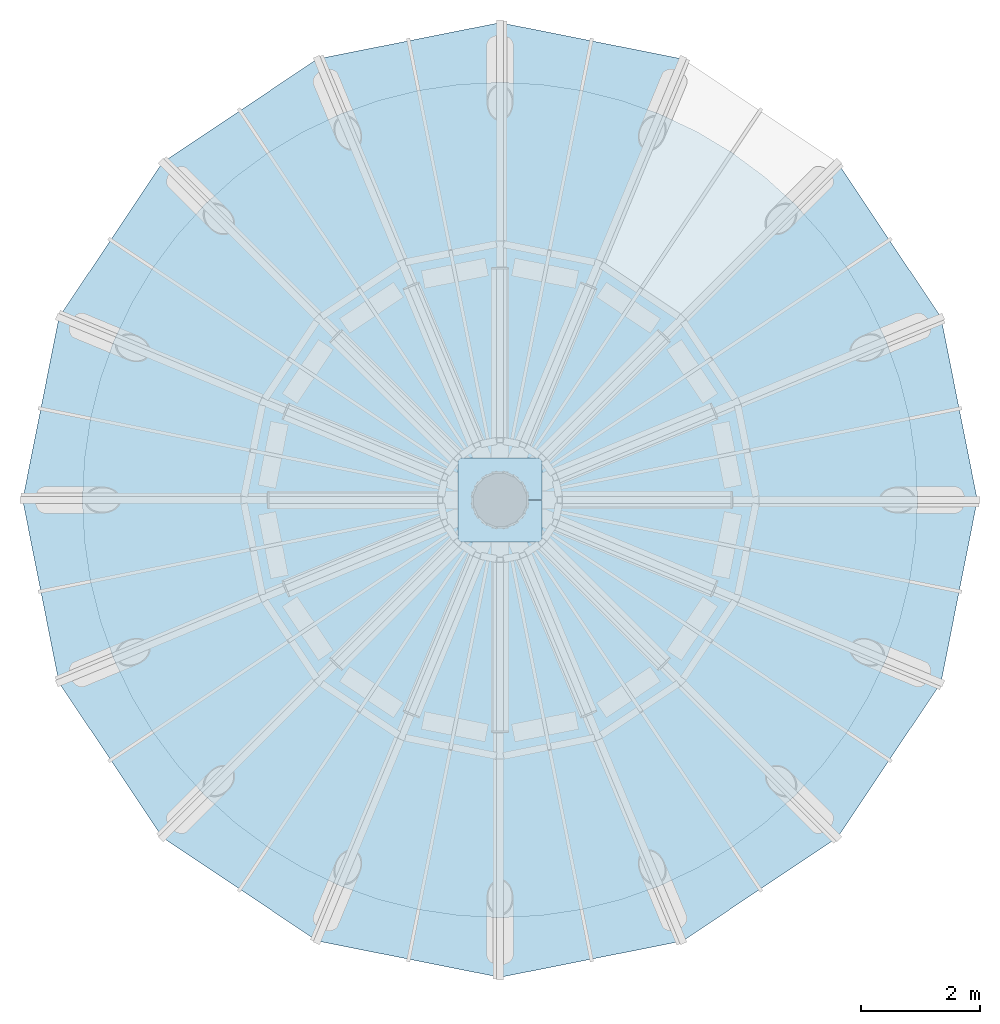
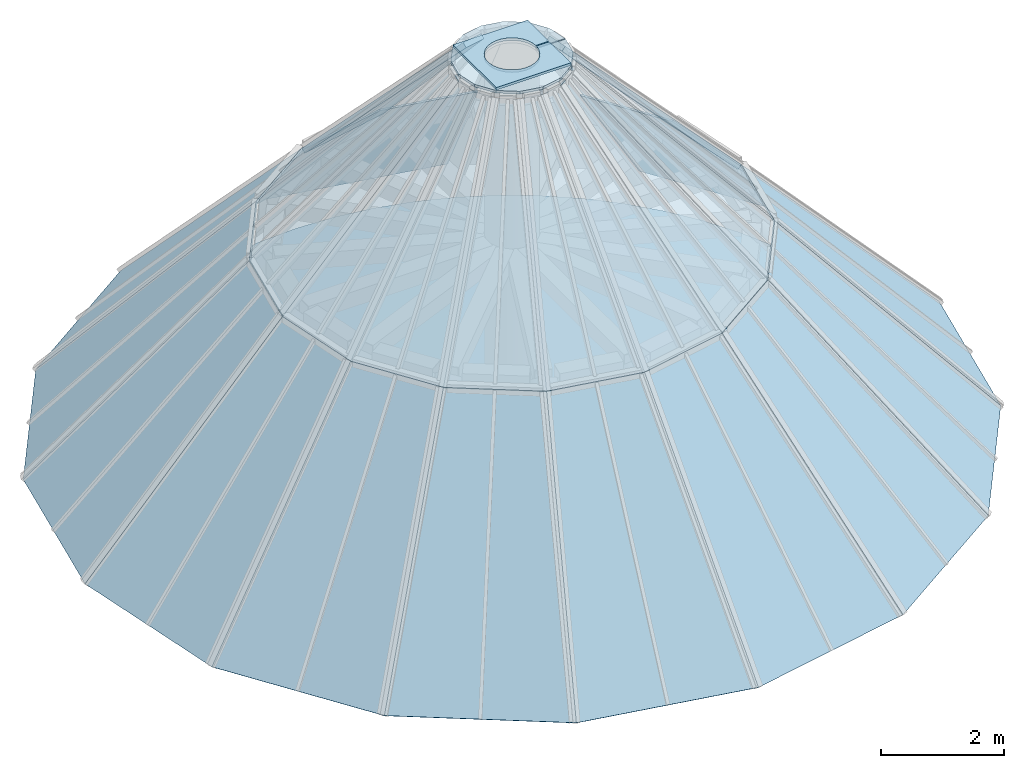
# One storey, part 4 of 5: 33 plates, 1 slab, 31 elements without a shape of their own.
"""IFC4 building model written with IfcOpenShell, lengths in metres."""

from ifc_helpers import new_model, si_unit, direction, frame, origin, place, context, subcontext, project, spatial, polyline, outline, extrude, material, layer, layer_set, type_object, element, aggregate, save


model = new_model("IFC4")

# Units and contexts
model_context = context("Model", 3, precision=1e-05, world=origin(), true_north=direction((0.0, 1.0)))
body_context = subcontext(model_context, "Body", "Model", "MODEL_VIEW")
ifc_project = project(units=[si_unit("LENGTHUNIT", "METRE"), si_unit("AREAUNIT", "SQUARE_METRE"), si_unit("VOLUMEUNIT", "CUBIC_METRE"), si_unit("PLANEANGLEUNIT", "RADIAN"), si_unit("MASSUNIT", "GRAM", prefix="KILO")], contexts=[model_context])

# Site, building, storey
site_placement = place(None, origin())
site = spatial("IfcSite", under=ifc_project, at=site_placement, CompositionType="ELEMENT")
building_placement = place(site_placement, origin())
building = spatial("IfcBuilding", under=site, at=building_placement, Name="Corvane Civic Tower", CompositionType="ELEMENT")
storey_placement = place(building_placement, frame((0.0, 0.0, 410.5)))
storey = spatial("IfcBuildingStorey", under=building, at=storey_placement, Name="Upper roof", CompositionType="ELEMENT", Elevation=410.5)

# Slab
ifc_material_1 = material(Name="Concrete C40/50", Category="concrete")
ifc_layer_1 = layer(ifc_material_1, 0.449951171875)
ifc_layer_set_1 = layer_set([ifc_layer_1], Name="Concrete C40/50")
slab_type = type_object("IfcSlabType", Name="CROWN ROOF SLAB 450", PredefinedType="ROOF", material=ifc_layer_set_1)
slab_placement = place(storey_placement, frame((0.0, 0.0, -0.449951171875)))
element("IfcSlab", 1, at=slab_placement, inside=storey, type_object=slab_type, Name="SLB-L96-roof", PredefinedType="ROOF", context=body_context, shape_type="SweptSolid", body=[
    extrude(outline(polyline([(0.0, 7.0), (-0.68603515625, 6.96630859375), (-1.36572265625, 6.865478515625), (-2.031982421875, 6.698486328125), (-2.6787109375, 6.467041015625), (-3.2998046875, 6.17333984375), (-3.888916015625, 5.8203125), (-4.440673828125, 5.4111328125), (-4.94970703125, 4.94970703125), (-5.4111328125, 4.440673828125), (-5.8203125, 3.888916015625), (-6.17333984375, 3.2998046875), (-6.467041015625, 2.6787109375), (-6.698486328125, 2.031982421875), (-6.865478515625, 1.36572265625), (-6.96630859375, 0.68603515625), (-7.0, 0.0), (-6.96630859375, -0.68603515625), (-6.865478515625, -1.36572265625), (-6.698486328125, -2.031982421875), (-6.467041015625, -2.6787109375), (-6.17333984375, -3.2998046875), (-5.8203125, -3.888916015625), (-5.4111328125, -4.440673828125), (-4.94970703125, -4.94970703125), (-4.440673828125, -5.4111328125), (-3.888916015625, -5.8203125), (-3.2998046875, -6.17333984375), (-2.6787109375, -6.467041015625), (-2.031982421875, -6.698486328125), (-1.36572265625, -6.865478515625), (-0.68603515625, -6.96630859375), (0.0, -7.0), (0.68603515625, -6.96630859375), (1.36572265625, -6.865478515625), (2.031982421875, -6.698486328125), (2.6787109375, -6.467041015625), (3.2998046875, -6.17333984375), (3.888916015625, -5.8203125), (4.440673828125, -5.4111328125), (4.94970703125, -4.94970703125), (5.4111328125, -4.440673828125), (5.8203125, -3.888916015625), (6.17333984375, -3.2998046875), (6.467041015625, -2.6787109375), (6.698486328125, -2.031982421875), (6.865478515625, -1.36572265625), (6.96630859375, -0.68603515625), (7.0, 0.0), (6.96630859375, 0.68603515625), (6.865478515625, 1.36572265625), (6.698486328125, 2.031982421875), (6.467041015625, 2.6787109375), (6.17333984375, 3.2998046875), (5.8203125, 3.888916015625), (5.4111328125, 4.440673828125), (4.94970703125, 4.94970703125), (4.440673828125, 5.4111328125), (3.888916015625, 5.8203125), (3.2998046875, 6.17333984375), (2.6787109375, 6.467041015625), (2.031982421875, 6.698486328125), (1.36572265625, 6.865478515625), (0.68603515625, 6.96630859375), (0.0, 7.0)])), origin(), (0.0, 0.0, 1.0), 0.449951171875),
])

# Plates
ifc_material_2 = material(Name="Steel ASTM A572 Gr 50", Category="steel")
ifc_layer_2 = layer(ifc_material_2, 0.050048828125)
ifc_layer_set_2 = layer_set([ifc_layer_2], Name="Steel ASTM A572 Gr 50")
plate_type_1 = type_object("IfcPlateType", Name="CROWN-CAP-PLATE-50", PredefinedType="SHEET", material=ifc_layer_set_2)
plate_1_placement = place(storey_placement, frame((0.0, 0.0, 7.60009765625)))
element("IfcPlate", 2, at=plate_1_placement, inside=storey, type_object=plate_type_1, Name="Glass cone top plate", PredefinedType="SHEET", context=body_context, shape_type="SweptSolid", body=[
    extrude(outline(polyline([(0.923828125, -0.382568359375), (0.998046875, -0.010009765625), (0.4501953125, -0.010009765625), (0.447021484375, -0.058837890625), (0.435546875, -0.11669921875), (0.416748046875, -0.172607421875), (0.390625, -0.2255859375), (0.35791015625, -0.274658203125), (0.31884765625, -0.31884765625), (0.274658203125, -0.35791015625), (0.2255859375, -0.390625), (0.172607421875, -0.416748046875), (0.11669921875, -0.435546875), (0.058837890625, -0.447021484375), (0.0, -0.450927734375), (-0.058837890625, -0.447021484375), (-0.11669921875, -0.435546875), (-0.172607421875, -0.416748046875), (-0.2255859375, -0.390625), (-0.274658203125, -0.35791015625), (-0.31884765625, -0.31884765625), (-0.35791015625, -0.274658203125), (-0.390625, -0.2255859375), (-0.416748046875, -0.172607421875), (-0.435546875, -0.11669921875), (-0.447021484375, -0.058837890625), (-0.450927734375, 0.0), (-0.447021484375, 0.058837890625), (-0.435546875, 0.11669921875), (-0.416748046875, 0.172607421875), (-0.390625, 0.2255859375), (-0.35791015625, 0.274658203125), (-0.31884765625, 0.31884765625), (-0.274658203125, 0.35791015625), (-0.2255859375, 0.390625), (-0.172607421875, 0.416748046875), (-0.11669921875, 0.435546875), (-0.058837890625, 0.447021484375), (0.0, 0.450927734375), (0.058837890625, 0.447021484375), (0.11669921875, 0.435546875), (0.172607421875, 0.416748046875), (0.2255859375, 0.390625), (0.274658203125, 0.35791015625), (0.31884765625, 0.31884765625), (0.35791015625, 0.274658203125), (0.390625, 0.2255859375), (0.416748046875, 0.172607421875), (0.435546875, 0.11669921875), (0.447021484375, 0.058837890625), (0.4501953125, 0.010009765625), (0.998046875, 0.010009765625), (0.923828125, 0.382568359375), (0.70703125, 0.70703125), (0.382568359375, 0.923828125), (0.0, 1.0), (-0.382568359375, 0.923828125), (-0.70703125, 0.70703125), (-0.923828125, 0.382568359375), (-1.0, 0.0), (-0.923828125, -0.382568359375), (-0.70703125, -0.70703125), (-0.382568359375, -0.923828125), (0.0, -1.0), (0.382568359375, -0.923828125), (0.70703125, -0.70703125), (0.923828125, -0.382568359375)])), origin(), (0.0, 0.0, 1.0), 0.0498046875),
])
plate_2_placement = place(storey_placement, frame((0.0, 0.0, 7.64990234375)))
element("IfcPlate", 3, at=plate_2_placement, inside=storey, type_object=plate_type_1, Name="Spire base plate", PredefinedType="SHEET", context=body_context, shape_type="SweptSolid", body=[
    extrude(outline(polyline([(0.699951171875, -0.699951171875), (0.699951171875, -0.010009765625), (0.4501953125, -0.010009765625), (0.447021484375, -0.058837890625), (0.435546875, -0.11669921875), (0.416748046875, -0.172607421875), (0.390625, -0.2255859375), (0.35791015625, -0.274658203125), (0.31884765625, -0.31884765625), (0.274658203125, -0.35791015625), (0.2255859375, -0.390625), (0.172607421875, -0.416748046875), (0.11669921875, -0.435546875), (0.058837890625, -0.447021484375), (0.0, -0.450927734375), (-0.058837890625, -0.447021484375), (-0.11669921875, -0.435546875), (-0.172607421875, -0.416748046875), (-0.2255859375, -0.390625), (-0.274658203125, -0.35791015625), (-0.31884765625, -0.31884765625), (-0.35791015625, -0.274658203125), (-0.390625, -0.2255859375), (-0.416748046875, -0.172607421875), (-0.435546875, -0.11669921875), (-0.447021484375, -0.058837890625), (-0.450927734375, 0.0), (-0.447021484375, 0.058837890625), (-0.435546875, 0.11669921875), (-0.416748046875, 0.172607421875), (-0.390625, 0.2255859375), (-0.35791015625, 0.274658203125), (-0.31884765625, 0.31884765625), (-0.274658203125, 0.35791015625), (-0.2255859375, 0.390625), (-0.172607421875, 0.416748046875), (-0.11669921875, 0.435546875), (-0.058837890625, 0.447021484375), (0.0, 0.450927734375), (0.058837890625, 0.447021484375), (0.11669921875, 0.435546875), (0.172607421875, 0.416748046875), (0.2255859375, 0.390625), (0.274658203125, 0.35791015625), (0.31884765625, 0.31884765625), (0.35791015625, 0.274658203125), (0.390625, 0.2255859375), (0.416748046875, 0.172607421875), (0.435546875, 0.11669921875), (0.447021484375, 0.058837890625), (0.4501953125, 0.010009765625), (0.699951171875, 0.010009765625), (0.699951171875, 0.699951171875), (-0.699951171875, 0.699951171875), (-0.699951171875, -0.699951171875), (0.699951171875, -0.699951171875)])), origin(), (0.0, 0.0, 1.0), 0.050048828125),
])

# Curtain wall, plate
ifc_material_3 = material(Name="Aluminium and glass", Category="aluminium")
curtain_wall_type = type_object("IfcCurtainWallType", Name="CROWN-CW-K-FACET", PredefinedType="NOTDEFINED", material=ifc_material_3)
curtain_wall_1_placement = place(storey_placement, origin())
curtain_wall_1 = element("IfcCurtainWall", 4, at=curtain_wall_1_placement, inside=storey, type_object=curtain_wall_type, Name="Glass cone facet 1 row 7", PredefinedType="NOTDEFINED")
ifc_material_4 = material(Name="Glass tinted low-e laminated", Category="glass")
ifc_layer_3 = layer(ifc_material_4, 0.10009765625)
ifc_layer_set_3 = layer_set([ifc_layer_3], Name="Glass tinted low-e laminated")
plate_type_2 = type_object("IfcPlateType", Name="CROWN-CWK-PANEL-IGU100", PredefinedType="CURTAIN_PANEL", material=ifc_layer_set_3)
plate_3_placement = place(storey_placement, frame((0.0, 4.300048828125, 4.0), z_axis=(-0.143286262157, 0.720071978065, 0.678944322814), x_axis=(-0.980773302608, -0.195150528358, -1.3128587e-05)))
plate_3 = element("IfcPlate", 5, at=plate_3_placement, type_object=plate_type_2, Name="Cone glass panel 1.7", PredefinedType="CURTAIN_PANEL", context=body_context, shape_type="SweptSolid", body=[
    extrude(outline(polyline([(0.0, 0.0), (1.6777609663350008, -2.7755575615628914e-17), (1.0340381373108907, 4.767178401989101), (0.6439603223609552, 4.767141425443706), (0.0, 0.0)])), origin(), (0.0, 0.0, -1.0), 0.10009765625),
])
aggregate(curtain_wall_1, [plate_3])

curtain_wall_2_placement = place(storey_placement, origin())
curtain_wall_2 = element("IfcCurtainWall", 6, at=curtain_wall_2_placement, inside=storey, type_object=curtain_wall_type, Name="Glass cone facet 2 row 7", PredefinedType="NOTDEFINED")
plate_4_placement = place(storey_placement, frame((-1.6455078125, 3.97265625, 4.0), z_axis=(-0.4078939068, 0.610454055587, 0.678946541941), x_axis=(-0.831468242728, -0.555572282727, 7.70688e-07)))
plate_4 = element("IfcPlate", 7, at=plate_4_placement, type_object=plate_type_2, Name="Cone glass panel 2.7", PredefinedType="CURTAIN_PANEL", context=body_context, shape_type="SweptSolid", body=[
    extrude(outline(polyline([(0.0, 0.0), (1.6777794224605818, 0.0), (1.0339799749245953, 4.767172150283829), (0.6437530506944026, 4.767174321101413), (0.0, 0.0)])), origin(), (0.0, 0.0, -1.0), 0.10009765625),
])
aggregate(curtain_wall_2, [plate_4])

curtain_wall_3_placement = place(storey_placement, origin())
curtain_wall_3 = element("IfcCurtainWall", 8, at=curtain_wall_3_placement, inside=storey, type_object=curtain_wall_type, Name="Glass cone facet 3 row 7", PredefinedType="NOTDEFINED")
plate_5_placement = place(storey_placement, frame((-3.04052734375, 3.04052734375, 4.0), z_axis=(-0.610454055587, 0.4078939068, 0.678946541941), x_axis=(-0.555572282727, -0.831468242728, -7.70688e-07)))
plate_5 = element("IfcPlate", 9, at=plate_5_placement, type_object=plate_type_2, Name="Cone glass panel 3.7", PredefinedType="CURTAIN_PANEL", context=body_context, shape_type="SweptSolid", body=[
    extrude(outline(polyline([(0.0, 0.0), (1.6777794224605818, 0.0), (1.0340263717661795, 4.767174321101413), (0.6437994475359864, 4.767172150283829), (0.0, 0.0)])), origin(), (0.0, 0.0, -1.0), 0.10009765625),
])
aggregate(curtain_wall_3, [plate_5])

curtain_wall_4_placement = place(storey_placement, origin())
curtain_wall_4 = element("IfcCurtainWall", 10, at=curtain_wall_4_placement, inside=storey, type_object=curtain_wall_type, Name="Glass cone facet 4 row 7", PredefinedType="NOTDEFINED")
plate_6_placement = place(storey_placement, frame((-3.97265625, 1.6455078125, 4.0), z_axis=(-0.720071978065, 0.143286262157, 0.678944322814), x_axis=(-0.195150528358, -0.980773302608, 1.3128587e-05)))
plate_6 = element("IfcPlate", 11, at=plate_6_placement, type_object=plate_type_2, Name="Cone glass panel 4.7", PredefinedType="CURTAIN_PANEL", context=body_context, shape_type="SweptSolid", body=[
    extrude(outline(polyline([(0.0, 0.0), (1.6777609663350008, 2.7755575615628914e-17), (1.0338006439740453, 4.767141425443706), (0.6437228290241102, 4.767178401989102), (0.0, 0.0)])), origin(), (0.0, 0.0, -1.0), 0.10009765625),
])
aggregate(curtain_wall_4, [plate_6])

curtain_wall_5_placement = place(storey_placement, origin())
curtain_wall_5 = element("IfcCurtainWall", 12, at=curtain_wall_5_placement, inside=storey, type_object=curtain_wall_type, Name="Glass cone facet 5 row 7", PredefinedType="NOTDEFINED")
plate_7_placement = place(storey_placement, frame((-4.300048828125, 0.0, 4.0), z_axis=(-0.720071978065, -0.143286262157, 0.678944322814), x_axis=(0.195150528358, -0.980773302608, -1.3128587e-05)))
plate_7 = element("IfcPlate", 13, at=plate_7_placement, type_object=plate_type_2, Name="Cone glass panel 5.7", PredefinedType="CURTAIN_PANEL", context=body_context, shape_type="SweptSolid", body=[
    extrude(outline(polyline([(0.0, 0.0), (1.6777609663350008, -2.7755575615628914e-17), (1.0340381373108907, 4.767178401989101), (0.6439603223609552, 4.767141425443706), (0.0, 0.0)])), origin(), (0.0, 0.0, -1.0), 0.10009765625),
])
aggregate(curtain_wall_5, [plate_7])

curtain_wall_6_placement = place(storey_placement, origin())
curtain_wall_6 = element("IfcCurtainWall", 14, at=curtain_wall_6_placement, inside=storey, type_object=curtain_wall_type, Name="Glass cone facet 6 row 7", PredefinedType="NOTDEFINED")
plate_8_placement = place(storey_placement, frame((-3.97265625, -1.6455078125, 4.0), z_axis=(-0.610454055587, -0.4078939068, 0.678946541941), x_axis=(0.555572282727, -0.831468242728, 7.70688e-07)))
plate_8 = element("IfcPlate", 15, at=plate_8_placement, type_object=plate_type_2, Name="Cone glass panel 6.7", PredefinedType="CURTAIN_PANEL", context=body_context, shape_type="SweptSolid", body=[
    extrude(outline(polyline([(0.0, 0.0), (1.6777794224605818, 0.0), (1.0339799749245953, 4.767172150283829), (0.6437530506944026, 4.767174321101413), (0.0, 0.0)])), origin(), (0.0, 0.0, -1.0), 0.10009765625),
])
aggregate(curtain_wall_6, [plate_8])

curtain_wall_7_placement = place(storey_placement, origin())
curtain_wall_7 = element("IfcCurtainWall", 16, at=curtain_wall_7_placement, inside=storey, type_object=curtain_wall_type, Name="Glass cone facet 7 row 7", PredefinedType="NOTDEFINED")
plate_9_placement = place(storey_placement, frame((-3.04052734375, -3.04052734375, 4.0), z_axis=(-0.4078939068, -0.610454055587, 0.678946541941), x_axis=(0.831468242728, -0.555572282727, -7.70688e-07)))
plate_9 = element("IfcPlate", 17, at=plate_9_placement, type_object=plate_type_2, Name="Cone glass panel 7.7", PredefinedType="CURTAIN_PANEL", context=body_context, shape_type="SweptSolid", body=[
    extrude(outline(polyline([(0.0, 0.0), (1.6777794224605818, 0.0), (1.0340263717661795, 4.767174321101413), (0.6437994475359864, 4.767172150283829), (0.0, 0.0)])), origin(), (0.0, 0.0, -1.0), 0.10009765625),
])
aggregate(curtain_wall_7, [plate_9])

curtain_wall_8_placement = place(storey_placement, origin())
curtain_wall_8 = element("IfcCurtainWall", 18, at=curtain_wall_8_placement, inside=storey, type_object=curtain_wall_type, Name="Glass cone facet 8 row 7", PredefinedType="NOTDEFINED")
plate_10_placement = place(storey_placement, frame((-1.6455078125, -3.97265625, 4.0), z_axis=(-0.143286262157, -0.720071978065, 0.678944322814), x_axis=(0.980773302608, -0.195150528358, 1.3128587e-05)))
plate_10 = element("IfcPlate", 19, at=plate_10_placement, type_object=plate_type_2, Name="Cone glass panel 8.7", PredefinedType="CURTAIN_PANEL", context=body_context, shape_type="SweptSolid", body=[
    extrude(outline(polyline([(0.0, 0.0), (1.6777609663350008, 2.7755575615628914e-17), (1.0338006439740453, 4.767141425443706), (0.6437228290241102, 4.767178401989102), (0.0, 0.0)])), origin(), (0.0, 0.0, -1.0), 0.10009765625),
])
aggregate(curtain_wall_8, [plate_10])

curtain_wall_9_placement = place(storey_placement, origin())
curtain_wall_9 = element("IfcCurtainWall", 20, at=curtain_wall_9_placement, inside=storey, type_object=curtain_wall_type, Name="Glass cone facet 9 row 7", PredefinedType="NOTDEFINED")
plate_11_placement = place(storey_placement, frame((0.0, -4.300048828125, 4.0), z_axis=(0.143286262157, -0.720071978065, 0.678944322814), x_axis=(0.980773302608, 0.195150528358, -1.3128587e-05)))
plate_11 = element("IfcPlate", 21, at=plate_11_placement, type_object=plate_type_2, Name="Cone glass panel 9.7", PredefinedType="CURTAIN_PANEL", context=body_context, shape_type="SweptSolid", body=[
    extrude(outline(polyline([(0.0, 0.0), (1.6777609663350008, -2.7755575615628914e-17), (1.0340381373108907, 4.767178401989101), (0.6439603223609552, 4.767141425443706), (0.0, 0.0)])), origin(), (0.0, 0.0, -1.0), 0.10009765625),
])
aggregate(curtain_wall_9, [plate_11])

curtain_wall_10_placement = place(storey_placement, origin())
curtain_wall_10 = element("IfcCurtainWall", 22, at=curtain_wall_10_placement, inside=storey, type_object=curtain_wall_type, Name="Glass cone facet 10 row 7", PredefinedType="NOTDEFINED")
plate_12_placement = place(storey_placement, frame((1.6455078125, -3.97265625, 4.0), z_axis=(0.4078939068, -0.610454055587, 0.678946541941), x_axis=(0.831468242728, 0.555572282727, 7.70688e-07)))
plate_12 = element("IfcPlate", 23, at=plate_12_placement, type_object=plate_type_2, Name="Cone glass panel 10.7", PredefinedType="CURTAIN_PANEL", context=body_context, shape_type="SweptSolid", body=[
    extrude(outline(polyline([(0.0, 0.0), (1.6777794224605818, 0.0), (1.0339799749245953, 4.767172150283829), (0.6437530506944026, 4.767174321101413), (0.0, 0.0)])), origin(), (0.0, 0.0, -1.0), 0.10009765625),
])
aggregate(curtain_wall_10, [plate_12])

curtain_wall_11_placement = place(storey_placement, origin())
curtain_wall_11 = element("IfcCurtainWall", 24, at=curtain_wall_11_placement, inside=storey, type_object=curtain_wall_type, Name="Glass cone facet 11 row 7", PredefinedType="NOTDEFINED")
plate_13_placement = place(storey_placement, frame((3.04052734375, -3.04052734375, 4.0), z_axis=(0.610454055587, -0.4078939068, 0.678946541941), x_axis=(0.555572282727, 0.831468242728, -7.70688e-07)))
plate_13 = element("IfcPlate", 25, at=plate_13_placement, type_object=plate_type_2, Name="Cone glass panel 11.7", PredefinedType="CURTAIN_PANEL", context=body_context, shape_type="SweptSolid", body=[
    extrude(outline(polyline([(0.0, 0.0), (1.6777794224605818, 0.0), (1.0340263717661795, 4.767174321101413), (0.6437994475359864, 4.767172150283829), (0.0, 0.0)])), origin(), (0.0, 0.0, -1.0), 0.10009765625),
])
aggregate(curtain_wall_11, [plate_13])

curtain_wall_12_placement = place(storey_placement, origin())
curtain_wall_12 = element("IfcCurtainWall", 26, at=curtain_wall_12_placement, inside=storey, type_object=curtain_wall_type, Name="Glass cone facet 12 row 7", PredefinedType="NOTDEFINED")
plate_14_placement = place(storey_placement, frame((3.97265625, -1.6455078125, 4.0), z_axis=(0.720071978065, -0.143286262157, 0.678944322814), x_axis=(0.195150528358, 0.980773302608, 1.3128587e-05)))
plate_14 = element("IfcPlate", 27, at=plate_14_placement, type_object=plate_type_2, Name="Cone glass panel 12.7", PredefinedType="CURTAIN_PANEL", context=body_context, shape_type="SweptSolid", body=[
    extrude(outline(polyline([(0.0, 0.0), (1.6777609663350008, 2.7755575615628914e-17), (1.0338006439740453, 4.767141425443706), (0.6437228290241102, 4.767178401989102), (0.0, 0.0)])), origin(), (0.0, 0.0, -1.0), 0.10009765625),
])
aggregate(curtain_wall_12, [plate_14])

curtain_wall_13_placement = place(storey_placement, origin())
curtain_wall_13 = element("IfcCurtainWall", 28, at=curtain_wall_13_placement, inside=storey, type_object=curtain_wall_type, Name="Glass cone facet 13 row 7", PredefinedType="NOTDEFINED")
plate_15_placement = place(storey_placement, frame((4.300048828125, 0.0, 4.0), z_axis=(0.720071978065, 0.143286262157, 0.678944322814), x_axis=(-0.195150528358, 0.980773302608, -1.3128587e-05)))
plate_15 = element("IfcPlate", 29, at=plate_15_placement, type_object=plate_type_2, Name="Cone glass panel 13.7", PredefinedType="CURTAIN_PANEL", context=body_context, shape_type="SweptSolid", body=[
    extrude(outline(polyline([(0.0, 0.0), (1.6777609663350008, -2.7755575615628914e-17), (1.0340381373108907, 4.767178401989101), (0.6439603223609552, 4.767141425443706), (0.0, 0.0)])), origin(), (0.0, 0.0, -1.0), 0.10009765625),
])
aggregate(curtain_wall_13, [plate_15])

curtain_wall_14_placement = place(storey_placement, origin())
curtain_wall_14 = element("IfcCurtainWall", 30, at=curtain_wall_14_placement, inside=storey, type_object=curtain_wall_type, Name="Glass cone facet 14 row 7", PredefinedType="NOTDEFINED")
plate_16_placement = place(storey_placement, frame((3.97265625, 1.6455078125, 4.0), z_axis=(0.610454055587, 0.4078939068, 0.678946541941), x_axis=(-0.555572282727, 0.831468242728, 7.70688e-07)))
plate_16 = element("IfcPlate", 31, at=plate_16_placement, type_object=plate_type_2, Name="Cone glass panel 14.7", PredefinedType="CURTAIN_PANEL", context=body_context, shape_type="SweptSolid", body=[
    extrude(outline(polyline([(0.0, 0.0), (1.6777794224605818, 0.0), (1.0339799749245953, 4.767172150283829), (0.6437530506944026, 4.767174321101413), (0.0, 0.0)])), origin(), (0.0, 0.0, -1.0), 0.10009765625),
])
aggregate(curtain_wall_14, [plate_16])

curtain_wall_15_placement = place(storey_placement, origin())
curtain_wall_15 = element("IfcCurtainWall", 32, at=curtain_wall_15_placement, inside=storey, type_object=curtain_wall_type, Name="Glass cone facet 15 row 7", PredefinedType="NOTDEFINED")
plate_17_placement = place(storey_placement, frame((3.04052734375, 3.04052734375, 4.0), z_axis=(0.4078939068, 0.610454055587, 0.678946541941), x_axis=(-0.831468242728, 0.555572282727, -7.70688e-07)))
plate_17 = element("IfcPlate", 33, at=plate_17_placement, type_object=plate_type_2, Name="Cone glass panel 15.7", PredefinedType="CURTAIN_PANEL", context=body_context, shape_type="SweptSolid", body=[
    extrude(outline(polyline([(0.0, 0.0), (1.6777794224605818, 0.0), (1.0340263717661795, 4.767174321101413), (0.6437994475359864, 4.767172150283829), (0.0, 0.0)])), origin(), (0.0, 0.0, -1.0), 0.10009765625),
])
aggregate(curtain_wall_15, [plate_17])

curtain_wall_16_placement = place(storey_placement, origin())
curtain_wall_16 = element("IfcCurtainWall", 34, at=curtain_wall_16_placement, inside=storey, type_object=curtain_wall_type, Name="Glass cone facet 16 row 7", PredefinedType="NOTDEFINED")
plate_18_placement = place(storey_placement, frame((1.6455078125, 3.97265625, 4.0), z_axis=(0.143286262157, 0.720071978065, 0.678944322814), x_axis=(-0.980773302608, 0.195150528358, 1.3128587e-05)))
plate_18 = element("IfcPlate", 35, at=plate_18_placement, type_object=plate_type_2, Name="Cone glass panel 16.7", PredefinedType="CURTAIN_PANEL", context=body_context, shape_type="SweptSolid", body=[
    extrude(outline(polyline([(0.0, 0.0), (1.6777609663350008, 2.7755575615628914e-17), (1.0338006439740453, 4.767141425443706), (0.6437228290241102, 4.767178401989102), (0.0, 0.0)])), origin(), (0.0, 0.0, -1.0), 0.10009765625),
])
aggregate(curtain_wall_16, [plate_18])

curtain_wall_17_placement = place(storey_placement, origin())
curtain_wall_17 = element("IfcCurtainWall", 36, at=curtain_wall_17_placement, inside=storey, type_object=curtain_wall_type, Name="Glass cone facet 1 row 6", PredefinedType="NOTDEFINED")
ifc_material_5 = material(Name="Glass tinted low-e laminated", Category="glass")
ifc_layer_4 = layer(ifc_material_5, 0.030029296875)
ifc_layer_set_4 = layer_set([ifc_layer_4], Name="Glass tinted low-e laminated")
plate_type_3 = type_object("IfcPlateType", Name="CROWN-CWK-PANEL-IGU30", PredefinedType="CURTAIN_PANEL", material=ifc_layer_set_4)
plate_19_placement = place(storey_placement, frame((0.0, 8.0, 0.0), z_axis=(-0.144487432964, 0.726393144079, 0.671919922275), x_axis=(-0.980787882466, -0.19507723967, -1.3028275e-05)))
plate_19 = element("IfcPlate", 37, at=plate_19_placement, type_object=plate_type_3, Name="Cone glass panel 1.6", PredefinedType="CURTAIN_PANEL", context=body_context, shape_type="SweptSolid", body=[
    extrude(outline(polyline([(0.0, 0.0), (3.121485029752466, 0.0), (2.399485111856481, 5.400894818420527), (0.7217241484235571, 5.400810395133148), (0.0, 0.0)])), origin(), (0.0, 0.0, -1.0), 0.030029296875),
])
aggregate(curtain_wall_17, [plate_19])

curtain_wall_18_placement = place(storey_placement, origin())
curtain_wall_18 = element("IfcCurtainWall", 38, at=curtain_wall_18_placement, inside=storey, type_object=curtain_wall_type, Name="Glass cone facet 2 row 6", PredefinedType="NOTDEFINED")
plate_20_placement = place(storey_placement, frame((-3.0615234375, 7.39111328125, 0.0), z_axis=(-0.411503449124, 0.615785787629, 0.671917238292), x_axis=(-0.831432432855, -0.555625871796, 1.3694034e-05)))
plate_20 = element("IfcPlate", 39, at=plate_20_placement, type_object=plate_type_3, Name="Cone glass panel 2.6", PredefinedType="CURTAIN_PANEL", context=body_context, shape_type="SweptSolid", body=[
    extrude(outline(polyline([(0.0, 0.0), (3.121409412717009, 2.220446049250313e-16), (2.3998960471738497, 5.40079047902109), (0.7221166282648236, 5.40087921508), (0.0, 0.0)])), origin(), (0.0, 0.0, -1.0), 0.030029296875),
])
aggregate(curtain_wall_18, [plate_20])

curtain_wall_19_placement = place(storey_placement, origin())
curtain_wall_19 = element("IfcCurtainWall", 40, at=curtain_wall_19_placement, inside=storey, type_object=curtain_wall_type, Name="Glass cone facet 3 row 6", PredefinedType="NOTDEFINED")
plate_21_placement = place(storey_placement, frame((-5.65673828125, 5.65673828125, 0.0), z_axis=(-0.615785787629, 0.411503449124, 0.671917238292), x_axis=(-0.555625871796, -0.831432432855, -1.3694034e-05)))
plate_21 = element("IfcPlate", 41, at=plate_21_placement, type_object=plate_type_3, Name="Cone glass panel 3.6", PredefinedType="CURTAIN_PANEL", context=body_context, shape_type="SweptSolid", body=[
    extrude(outline(polyline([(0.0, 0.0), (3.121409412717009, -2.220446049250313e-16), (2.399292784452185, 5.40087921508), (0.7215133655431595, 5.40079047902109), (0.0, 0.0)])), origin(), (0.0, 0.0, -1.0), 0.030029296875),
])
aggregate(curtain_wall_19, [plate_21])

curtain_wall_20_placement = place(storey_placement, origin())
curtain_wall_20 = element("IfcCurtainWall", 42, at=curtain_wall_20_placement, inside=storey, type_object=curtain_wall_type, Name="Glass cone facet 4 row 6", PredefinedType="NOTDEFINED")
plate_22_placement = place(storey_placement, frame((-7.39111328125, 3.0615234375, 0.0), z_axis=(-0.726393144079, 0.144487432964, 0.671919922275), x_axis=(-0.19507723967, -0.980787882466, 1.3028275e-05)))
plate_22 = element("IfcPlate", 43, at=plate_22_placement, type_object=plate_type_3, Name="Cone glass panel 4.6", PredefinedType="CURTAIN_PANEL", context=body_context, shape_type="SweptSolid", body=[
    extrude(outline(polyline([(0.0, 0.0), (3.121485029752466, 0.0), (2.399760881328909, 5.400810395133148), (0.7219999178959852, 5.400894818420527), (0.0, 0.0)])), origin(), (0.0, 0.0, -1.0), 0.030029296875),
])
aggregate(curtain_wall_20, [plate_22])

curtain_wall_21_placement = place(storey_placement, origin())
curtain_wall_21 = element("IfcCurtainWall", 44, at=curtain_wall_21_placement, inside=storey, type_object=curtain_wall_type, Name="Glass cone facet 5 row 6", PredefinedType="NOTDEFINED")
plate_23_placement = place(storey_placement, frame((-8.0, 0.0, 0.0), z_axis=(-0.726393144079, -0.144487432964, 0.671919922275), x_axis=(0.19507723967, -0.980787882466, -1.3028275e-05)))
plate_23 = element("IfcPlate", 45, at=plate_23_placement, type_object=plate_type_3, Name="Cone glass panel 5.6", PredefinedType="CURTAIN_PANEL", context=body_context, shape_type="SweptSolid", body=[
    extrude(outline(polyline([(0.0, 0.0), (3.121485029752466, 0.0), (2.399485111856481, 5.400894818420527), (0.7217241484235571, 5.400810395133148), (0.0, 0.0)])), origin(), (0.0, 0.0, -1.0), 0.030029296875),
])
aggregate(curtain_wall_21, [plate_23])

curtain_wall_22_placement = place(storey_placement, origin())
curtain_wall_22 = element("IfcCurtainWall", 46, at=curtain_wall_22_placement, inside=storey, type_object=curtain_wall_type, Name="Glass cone facet 6 row 6", PredefinedType="NOTDEFINED")
plate_24_placement = place(storey_placement, frame((-7.39111328125, -3.0615234375, 0.0), z_axis=(-0.615785787629, -0.411503449124, 0.671917238292), x_axis=(0.555625871796, -0.831432432855, 1.3694034e-05)))
plate_24 = element("IfcPlate", 47, at=plate_24_placement, type_object=plate_type_3, Name="Cone glass panel 6.6", PredefinedType="CURTAIN_PANEL", context=body_context, shape_type="SweptSolid", body=[
    extrude(outline(polyline([(0.0, 0.0), (3.121409412717009, 2.220446049250313e-16), (2.3998960471738497, 5.40079047902109), (0.7221166282648236, 5.40087921508), (0.0, 0.0)])), origin(), (0.0, 0.0, -1.0), 0.030029296875),
])
aggregate(curtain_wall_22, [plate_24])

curtain_wall_23_placement = place(storey_placement, origin())
curtain_wall_23 = element("IfcCurtainWall", 48, at=curtain_wall_23_placement, inside=storey, type_object=curtain_wall_type, Name="Glass cone facet 7 row 6", PredefinedType="NOTDEFINED")
plate_25_placement = place(storey_placement, frame((-5.65673828125, -5.65673828125, 0.0), z_axis=(-0.411503449124, -0.615785787629, 0.671917238292), x_axis=(0.831432432855, -0.555625871796, -1.3694034e-05)))
plate_25 = element("IfcPlate", 49, at=plate_25_placement, type_object=plate_type_3, Name="Cone glass panel 7.6", PredefinedType="CURTAIN_PANEL", context=body_context, shape_type="SweptSolid", body=[
    extrude(outline(polyline([(0.0, 0.0), (3.121409412717009, -2.220446049250313e-16), (2.399292784452185, 5.40087921508), (0.7215133655431595, 5.40079047902109), (0.0, 0.0)])), origin(), (0.0, 0.0, -1.0), 0.030029296875),
])
aggregate(curtain_wall_23, [plate_25])

curtain_wall_24_placement = place(storey_placement, origin())
curtain_wall_24 = element("IfcCurtainWall", 50, at=curtain_wall_24_placement, inside=storey, type_object=curtain_wall_type, Name="Glass cone facet 8 row 6", PredefinedType="NOTDEFINED")
plate_26_placement = place(storey_placement, frame((-3.0615234375, -7.39111328125, 0.0), z_axis=(-0.144487432964, -0.726393144079, 0.671919922275), x_axis=(0.980787882466, -0.19507723967, 1.3028275e-05)))
plate_26 = element("IfcPlate", 51, at=plate_26_placement, type_object=plate_type_3, Name="Cone glass panel 8.6", PredefinedType="CURTAIN_PANEL", context=body_context, shape_type="SweptSolid", body=[
    extrude(outline(polyline([(0.0, 0.0), (3.121485029752466, 0.0), (2.399760881328909, 5.400810395133148), (0.7219999178959852, 5.400894818420527), (0.0, 0.0)])), origin(), (0.0, 0.0, -1.0), 0.030029296875),
])
aggregate(curtain_wall_24, [plate_26])

curtain_wall_25_placement = place(storey_placement, origin())
curtain_wall_25 = element("IfcCurtainWall", 52, at=curtain_wall_25_placement, inside=storey, type_object=curtain_wall_type, Name="Glass cone facet 9 row 6", PredefinedType="NOTDEFINED")
plate_27_placement = place(storey_placement, frame((0.0, -8.0, 0.0), z_axis=(0.144487432964, -0.726393144079, 0.671919922275), x_axis=(0.980787882466, 0.19507723967, -1.3028275e-05)))
plate_27 = element("IfcPlate", 53, at=plate_27_placement, type_object=plate_type_3, Name="Cone glass panel 9.6", PredefinedType="CURTAIN_PANEL", context=body_context, shape_type="SweptSolid", body=[
    extrude(outline(polyline([(0.0, 0.0), (3.121485029752466, 0.0), (2.399485111856481, 5.400894818420527), (0.7217241484235571, 5.400810395133148), (0.0, 0.0)])), origin(), (0.0, 0.0, -1.0), 0.030029296875),
])
aggregate(curtain_wall_25, [plate_27])

curtain_wall_26_placement = place(storey_placement, origin())
curtain_wall_26 = element("IfcCurtainWall", 54, at=curtain_wall_26_placement, inside=storey, type_object=curtain_wall_type, Name="Glass cone facet 10 row 6", PredefinedType="NOTDEFINED")
plate_28_placement = place(storey_placement, frame((3.0615234375, -7.39111328125, 0.0), z_axis=(0.411503449124, -0.615785787629, 0.671917238292), x_axis=(0.831432432855, 0.555625871796, 1.3694034e-05)))
plate_28 = element("IfcPlate", 55, at=plate_28_placement, type_object=plate_type_3, Name="Cone glass panel 10.6", PredefinedType="CURTAIN_PANEL", context=body_context, shape_type="SweptSolid", body=[
    extrude(outline(polyline([(0.0, 0.0), (3.121409412717009, 2.220446049250313e-16), (2.3998960471738497, 5.40079047902109), (0.7221166282648236, 5.40087921508), (0.0, 0.0)])), origin(), (0.0, 0.0, -1.0), 0.030029296875),
])
aggregate(curtain_wall_26, [plate_28])

curtain_wall_27_placement = place(storey_placement, origin())
curtain_wall_27 = element("IfcCurtainWall", 56, at=curtain_wall_27_placement, inside=storey, type_object=curtain_wall_type, Name="Glass cone facet 11 row 6", PredefinedType="NOTDEFINED")
plate_29_placement = place(storey_placement, frame((5.65673828125, -5.65673828125, 0.0), z_axis=(0.615785787629, -0.411503449124, 0.671917238292), x_axis=(0.555625871796, 0.831432432855, -1.3694034e-05)))
plate_29 = element("IfcPlate", 57, at=plate_29_placement, type_object=plate_type_3, Name="Cone glass panel 11.6", PredefinedType="CURTAIN_PANEL", context=body_context, shape_type="SweptSolid", body=[
    extrude(outline(polyline([(0.0, 0.0), (3.121409412717009, -2.220446049250313e-16), (2.399292784452185, 5.40087921508), (0.7215133655431595, 5.40079047902109), (0.0, 0.0)])), origin(), (0.0, 0.0, -1.0), 0.030029296875),
])
aggregate(curtain_wall_27, [plate_29])

curtain_wall_28_placement = place(storey_placement, origin())
curtain_wall_28 = element("IfcCurtainWall", 58, at=curtain_wall_28_placement, inside=storey, type_object=curtain_wall_type, Name="Glass cone facet 12 row 6", PredefinedType="NOTDEFINED")
plate_30_placement = place(storey_placement, frame((7.39111328125, -3.0615234375, 0.0), z_axis=(0.726393144079, -0.144487432964, 0.671919922275), x_axis=(0.19507723967, 0.980787882466, 1.3028275e-05)))
plate_30 = element("IfcPlate", 59, at=plate_30_placement, type_object=plate_type_3, Name="Cone glass panel 12.6", PredefinedType="CURTAIN_PANEL", context=body_context, shape_type="SweptSolid", body=[
    extrude(outline(polyline([(0.0, 0.0), (3.121485029752466, 0.0), (2.399760881328909, 5.400810395133148), (0.7219999178959852, 5.400894818420527), (0.0, 0.0)])), origin(), (0.0, 0.0, -1.0), 0.030029296875),
])
aggregate(curtain_wall_28, [plate_30])

curtain_wall_29_placement = place(storey_placement, origin())
curtain_wall_29 = element("IfcCurtainWall", 60, at=curtain_wall_29_placement, inside=storey, type_object=curtain_wall_type, Name="Glass cone facet 13 row 6", PredefinedType="NOTDEFINED")
plate_31_placement = place(storey_placement, frame((8.0, 0.0, 0.0), z_axis=(0.726393144079, 0.144487432964, 0.671919922275), x_axis=(-0.19507723967, 0.980787882466, -1.3028275e-05)))
plate_31 = element("IfcPlate", 61, at=plate_31_placement, type_object=plate_type_3, Name="Cone glass panel 13.6", PredefinedType="CURTAIN_PANEL", context=body_context, shape_type="SweptSolid", body=[
    extrude(outline(polyline([(0.0, 0.0), (3.121485029752466, 0.0), (2.399485111856481, 5.400894818420527), (0.7217241484235571, 5.400810395133148), (0.0, 0.0)])), origin(), (0.0, 0.0, -1.0), 0.030029296875),
])
aggregate(curtain_wall_29, [plate_31])

curtain_wall_30_placement = place(storey_placement, origin())
curtain_wall_30 = element("IfcCurtainWall", 62, at=curtain_wall_30_placement, inside=storey, type_object=curtain_wall_type, Name="Glass cone facet 14 row 6", PredefinedType="NOTDEFINED")
plate_32_placement = place(storey_placement, frame((7.39111328125, 3.0615234375, 0.0), z_axis=(0.615785787629, 0.411503449124, 0.671917238292), x_axis=(-0.555625871796, 0.831432432855, 1.3694034e-05)))
plate_32 = element("IfcPlate", 63, at=plate_32_placement, type_object=plate_type_3, Name="Cone glass panel 14.6", PredefinedType="CURTAIN_PANEL", context=body_context, shape_type="SweptSolid", body=[
    extrude(outline(polyline([(0.0, 0.0), (3.121409412717009, 2.220446049250313e-16), (2.3998960471738497, 5.40079047902109), (0.7221166282648236, 5.40087921508), (0.0, 0.0)])), origin(), (0.0, 0.0, -1.0), 0.030029296875),
])
aggregate(curtain_wall_30, [plate_32])

curtain_wall_31_placement = place(storey_placement, origin())
curtain_wall_31 = element("IfcCurtainWall", 64, at=curtain_wall_31_placement, inside=storey, type_object=curtain_wall_type, Name="Glass cone facet 16 row 6", PredefinedType="NOTDEFINED")
plate_33_placement = place(storey_placement, frame((3.0615234375, 7.39111328125, 0.0), z_axis=(0.144487432964, 0.726393144079, 0.671919922275), x_axis=(-0.980787882466, 0.19507723967, 1.3028275e-05)))
plate_33 = element("IfcPlate", 65, at=plate_33_placement, type_object=plate_type_3, Name="Cone glass panel 16.6", PredefinedType="CURTAIN_PANEL", context=body_context, shape_type="SweptSolid", body=[
    extrude(outline(polyline([(0.0, 0.0), (3.121485029752466, 0.0), (2.399760881328909, 5.400810395133148), (0.7219999178959852, 5.400894818420527), (0.0, 0.0)])), origin(), (0.0, 0.0, -1.0), 0.030029296875),
])
aggregate(curtain_wall_31, [plate_33])

save(model, "model.ifc")
